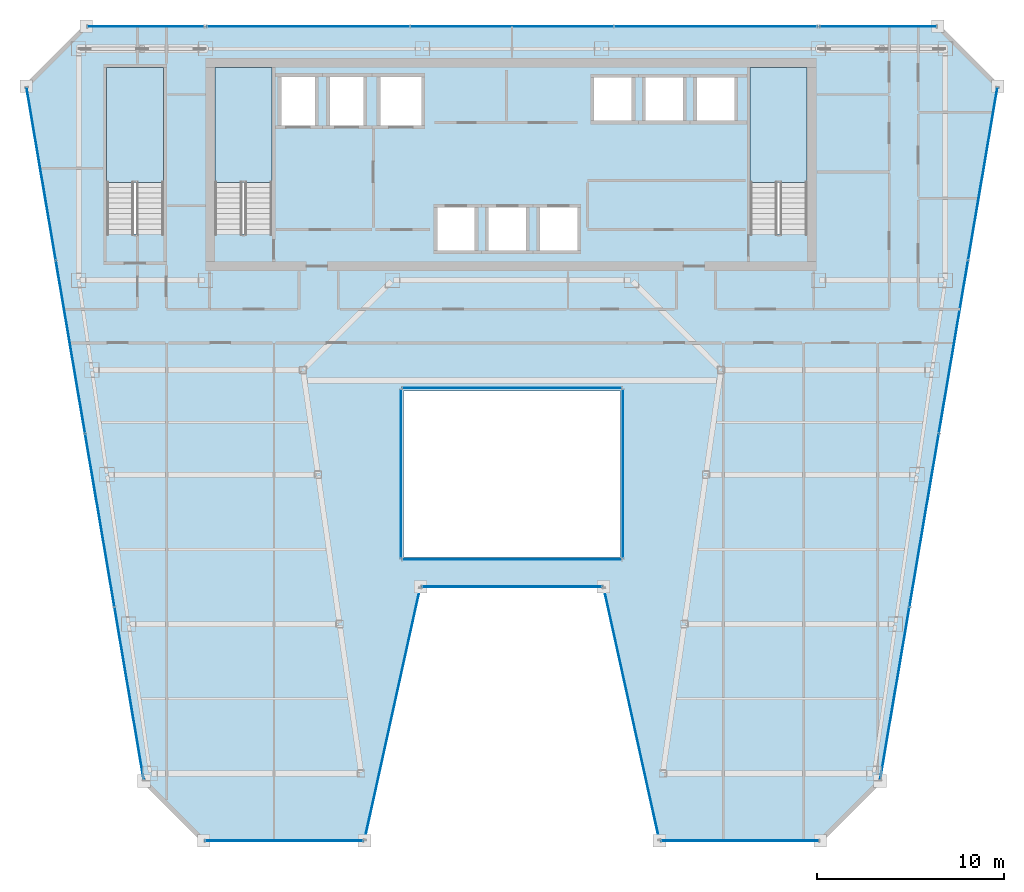
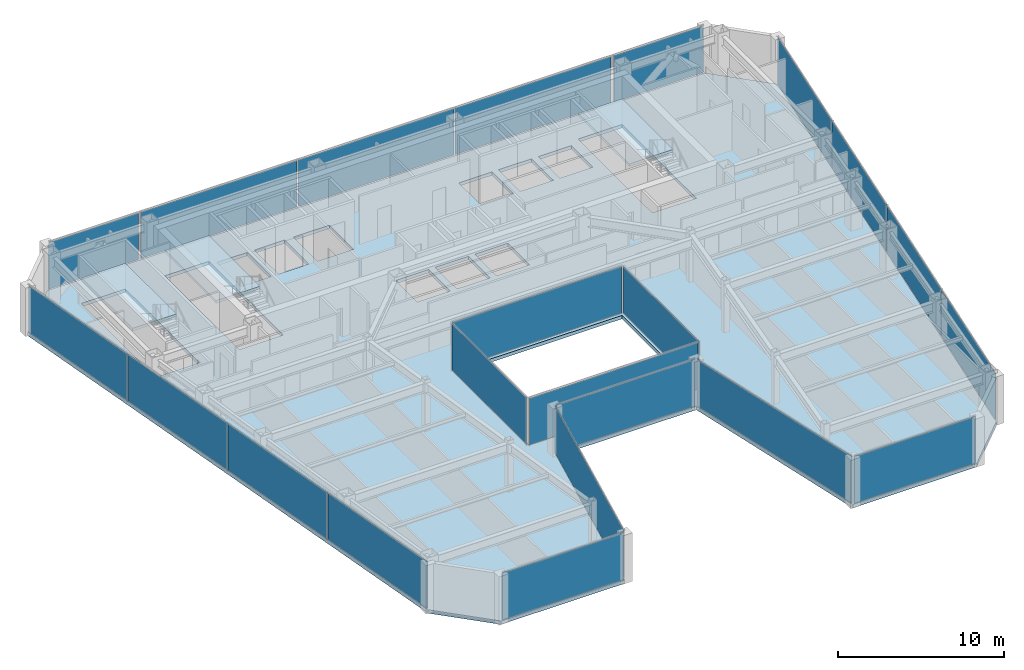
# One storey, part 28 of 36: 22 plates, 4 slabs, 17 elements without a shape of their own.
"""IFC4 building model written with IfcOpenShell, lengths in metres."""

from ifc_helpers import new_model, si_unit, direction, frame, origin, origin_2d, place, context, subcontext, project, spatial, polyline, rectangle, outline, extrude, material, layer, layer_set, type_object, element, aggregate, save


model = new_model("IFC4")

# Units and contexts
model_context = context("Model", 3, precision=1e-05, world=origin(), true_north=direction((0.0, 1.0)))
body_context = subcontext(model_context, "Body", "Model", "MODEL_VIEW")
ifc_project = project(units=[si_unit("LENGTHUNIT", "METRE"), si_unit("AREAUNIT", "SQUARE_METRE"), si_unit("VOLUMEUNIT", "CUBIC_METRE"), si_unit("PLANEANGLEUNIT", "RADIAN"), si_unit("MASSUNIT", "GRAM", prefix="KILO")], contexts=[model_context])

# Site, building, storey
site_placement = place(None, origin())
site = spatial("IfcSite", under=ifc_project, at=site_placement, CompositionType="ELEMENT")
building_placement = place(site_placement, origin())
building = spatial("IfcBuilding", under=site, at=building_placement, Name="Saevonmaru Cultural Tower", CompositionType="ELEMENT")
storey_placement = place(building_placement, frame((0.0, 0.0, 209.39990234375)))
storey = spatial("IfcBuildingStorey", under=building, at=storey_placement, Name="L48", CompositionType="ELEMENT", Elevation=209.39990234375)

# Curtain wall, plate
ifc_material_1 = material(Name="Satin Bronze Anodised Aluminium", Category="aluminium")
curtain_wall_type_1 = type_object("IfcCurtainWallType", Name="CW-ATR-GLZ", PredefinedType="NOTDEFINED", material=ifc_material_1)
curtain_wall_1_placement = place(storey_placement, origin())
curtain_wall_1 = element("IfcCurtainWall", 1, at=curtain_wall_1_placement, inside=storey, type_object=curtain_wall_type_1, Name="L48 Vertical Atrium Glazed Smoke Screen 1", PredefinedType="NOTDEFINED")
ifc_material_2 = material(Name="Fire-Rated Laminated Atrium Glass", Category="glass")
ifc_layer_1 = layer(ifc_material_2, 0.031982421875, Name="Fire-Rated Laminated Atrium Glass")
ifc_layer_set_1 = layer_set([ifc_layer_1], Name="Fire-Rated Laminated Atrium Glass")
plate_type_1 = type_object("IfcPlateType", Name="PN-GLZ-ATR-INT", PredefinedType="CURTAIN_PANEL", material=ifc_layer_set_1)
plate_1_placement = place(storey_placement, frame((30.0, 27.449951171875, 0.067138671875), z_axis=(0.0, 0.0, 1.0), x_axis=(1.0, 0.0, 0.0)))
plate_1 = element("IfcPlate", 2, at=plate_1_placement, type_object=plate_type_1, Name="CW-ATR-L48-1 panel 1.1", PredefinedType="CURTAIN_PANEL", context=body_context, shape_type="SweptSolid", body=[
    extrude(rectangle(XDim=11.7109375, YDim=0.031982421875, at=origin_2d()), origin(), (0.0, 0.0, 1.0), 3.416015625),
])
aggregate(curtain_wall_1, [plate_1])

curtain_wall_2_placement = place(storey_placement, origin())
curtain_wall_2 = element("IfcCurtainWall", 3, at=curtain_wall_2_placement, inside=storey, type_object=curtain_wall_type_1, Name="L48 Vertical Atrium Glazed Smoke Screen 2", PredefinedType="NOTDEFINED")
plate_2_placement = place(storey_placement, frame((35.949951171875, 32.0400390625, 0.067138671875), z_axis=(0.0, 0.0, 1.0), x_axis=(0.0, 1.0, 0.0)))
plate_2 = element("IfcPlate", 4, at=plate_2_placement, type_object=plate_type_1, Name="CW-ATR-L48-2 panel 1.1", PredefinedType="CURTAIN_PANEL", context=body_context, shape_type="SweptSolid", body=[
    extrude(rectangle(XDim=8.990966796875, YDim=0.031982421875, at=origin_2d()), origin(), (0.0, 0.0, 1.0), 3.416015625),
])
aggregate(curtain_wall_2, [plate_2])

curtain_wall_3_placement = place(storey_placement, origin())
curtain_wall_3 = element("IfcCurtainWall", 5, at=curtain_wall_3_placement, inside=storey, type_object=curtain_wall_type_1, Name="L48 Vertical Atrium Glazed Smoke Screen 3", PredefinedType="NOTDEFINED")
plate_3_placement = place(storey_placement, frame((30.0, 36.6298828125, 0.067138671875), z_axis=(0.0, 0.0, 1.0), x_axis=(-1.0, 0.0, 0.0)))
plate_3 = element("IfcPlate", 6, at=plate_3_placement, type_object=plate_type_1, Name="CW-ATR-L48-3 panel 1.1", PredefinedType="CURTAIN_PANEL", context=body_context, shape_type="SweptSolid", body=[
    extrude(rectangle(XDim=11.7109375, YDim=0.031982421875, at=origin_2d()), origin(), (0.0, 0.0, 1.0), 3.416015625),
])
aggregate(curtain_wall_3, [plate_3])

curtain_wall_4_placement = place(storey_placement, origin())
curtain_wall_4 = element("IfcCurtainWall", 7, at=curtain_wall_4_placement, inside=storey, type_object=curtain_wall_type_1, Name="L48 Vertical Atrium Glazed Smoke Screen 4", PredefinedType="NOTDEFINED")
plate_4_placement = place(storey_placement, frame((24.050048828125, 32.0400390625, 0.067138671875), z_axis=(0.0, 0.0, 1.0), x_axis=(0.0, -1.0, 0.0)))
plate_4 = element("IfcPlate", 8, at=plate_4_placement, type_object=plate_type_1, Name="CW-ATR-L48-4 panel 1.1", PredefinedType="CURTAIN_PANEL", context=body_context, shape_type="SweptSolid", body=[
    extrude(rectangle(XDim=8.990966796875, YDim=0.031982421875, at=origin_2d()), origin(), (0.0, 0.0, 1.0), 3.416015625),
])
aggregate(curtain_wall_4, [plate_4])

curtain_wall_type_2 = type_object("IfcCurtainWallType", Name="CW-TYP-B", PredefinedType="NOTDEFINED", material=ifc_material_1)
curtain_wall_5_placement = place(storey_placement, origin())
curtain_wall_5 = element("IfcCurtainWall", 9, at=curtain_wall_5_placement, inside=storey, type_object=curtain_wall_type_2, Name="L48 Unitised Curtain Wall E2", PredefinedType="NOTDEFINED")
ifc_material_3 = material(Name="Triple Silver Low-E Insulating Glass", Category="glass")
ifc_layer_2 = layer(ifc_material_3, 0.035888671875, Name="Triple Silver Low-E Insulating Glass")
ifc_layer_set_2 = layer_set([ifc_layer_2], Name="Triple Silver Low-E Insulating Glass")
plate_type_2 = type_object("IfcPlateType", Name="PN-GLZ-IGU", PredefinedType="CURTAIN_PANEL", material=ifc_layer_set_2)
plate_5_placement = place(storey_placement, frame((17.7978515625, 12.39990234375, 0.067138671875), z_axis=(0.0, 0.0, 1.0), x_axis=(1.0, 0.0, 0.0)))
plate_5 = element("IfcPlate", 10, at=plate_5_placement, type_object=plate_type_2, Name="CW-TW-L48-E2 panel 1.1", PredefinedType="CURTAIN_PANEL", context=body_context, shape_type="SweptSolid", body=[
    extrude(rectangle(XDim=8.410888671875, YDim=0.035888671875, at=origin_2d()), origin(), (0.0, 0.0, 1.0), 3.416015625),
])
aggregate(curtain_wall_5, [plate_5])

curtain_wall_6_placement = place(storey_placement, origin())
curtain_wall_6 = element("IfcCurtainWall", 11, at=curtain_wall_6_placement, inside=storey, type_object=curtain_wall_type_2, Name="L48 Unitised Curtain Wall E3", PredefinedType="NOTDEFINED")
plate_6_placement = place(storey_placement, frame((23.597900390625, 19.199951171875, 0.067138671875), z_axis=(0.0, 0.0, 1.0), x_axis=(0.215413319953, 0.976522965212, 0.0)))
plate_6 = element("IfcPlate", 12, at=plate_6_placement, type_object=plate_type_2, Name="CW-TW-L48-E3 panel 1.1", PredefinedType="CURTAIN_PANEL", context=body_context, shape_type="SweptSolid", body=[
    extrude(rectangle(XDim=13.738037109375, YDim=0.035888671875, at=origin_2d()), origin(), (0.0, 0.0, 1.0), 3.416015625),
])
aggregate(curtain_wall_6, [plate_6])

curtain_wall_7_placement = place(storey_placement, origin())
curtain_wall_7 = element("IfcCurtainWall", 13, at=curtain_wall_7_placement, inside=storey, type_object=curtain_wall_type_2, Name="L48 Unitised Curtain Wall E4", PredefinedType="NOTDEFINED")
plate_7_placement = place(storey_placement, frame((30.0, 26.0, 0.067138671875), z_axis=(0.0, 0.0, 1.0), x_axis=(1.0, 0.0, 0.0)))
plate_7 = element("IfcPlate", 14, at=plate_7_placement, type_object=plate_type_2, Name="CW-TW-L48-E4 panel 1.1", PredefinedType="CURTAIN_PANEL", context=body_context, shape_type="SweptSolid", body=[
    extrude(rectangle(XDim=9.615478515625, YDim=0.035888671875, at=origin_2d()), origin(), (0.0, 0.0, 1.0), 3.416015625),
])
aggregate(curtain_wall_7, [plate_7])

curtain_wall_8_placement = place(storey_placement, origin())
curtain_wall_8 = element("IfcCurtainWall", 15, at=curtain_wall_8_placement, inside=storey, type_object=curtain_wall_type_2, Name="L48 Unitised Curtain Wall E5", PredefinedType="NOTDEFINED")
plate_8_placement = place(storey_placement, frame((36.402099609375, 19.199951171875, 0.067138671875), z_axis=(0.0, 0.0, 1.0), x_axis=(0.215413319953, -0.976522965212, 0.0)))
plate_8 = element("IfcPlate", 16, at=plate_8_placement, type_object=plate_type_2, Name="CW-TW-L48-E5 panel 1.1", PredefinedType="CURTAIN_PANEL", context=body_context, shape_type="SweptSolid", body=[
    extrude(rectangle(XDim=13.738037109375, YDim=0.035888671875, at=origin_2d()), origin(), (0.0, 0.0, 1.0), 3.416015625),
])
aggregate(curtain_wall_8, [plate_8])

curtain_wall_9_placement = place(storey_placement, origin())
curtain_wall_9 = element("IfcCurtainWall", 17, at=curtain_wall_9_placement, inside=storey, type_object=curtain_wall_type_2, Name="L48 Unitised Curtain Wall E6", PredefinedType="NOTDEFINED")
plate_9_placement = place(storey_placement, frame((42.2021484375, 12.39990234375, 0.067138671875), z_axis=(0.0, 0.0, 1.0), x_axis=(1.0, 0.0, 0.0)))
plate_9 = element("IfcPlate", 18, at=plate_9_placement, type_object=plate_type_2, Name="CW-TW-L48-E6 panel 1.1", PredefinedType="CURTAIN_PANEL", context=body_context, shape_type="SweptSolid", body=[
    extrude(rectangle(XDim=8.410888671875, YDim=0.035888671875, at=origin_2d()), origin(), (0.0, 0.0, 1.0), 3.416015625),
])
aggregate(curtain_wall_9, [plate_9])

# Curtain wall, plates
curtain_wall_10_placement = place(storey_placement, origin())
curtain_wall_10 = element("IfcCurtainWall", 19, at=curtain_wall_10_placement, inside=storey, type_object=curtain_wall_type_2, Name="L48 Unitised Curtain Wall E8", PredefinedType="NOTDEFINED")
plate_10_placement = place(storey_placement, frame((50.496826171875, 20.29443359375, 0.067138671875), z_axis=(0.0, 0.0, 1.0), x_axis=(0.16692169721, 0.985970155228, 0.0)))
plate_10 = element("IfcPlate", 20, at=plate_10_placement, type_object=plate_type_2, Name="CW-TW-L48-E8 panel 1.1", PredefinedType="CURTAIN_PANEL", context=body_context, shape_type="SweptSolid", body=[
    extrude(rectangle(XDim=9.333251953125, YDim=0.035888671875, at=origin_2d()), origin(), (0.0, 0.0, 1.0), 3.416015625),
])
plate_11_placement = place(storey_placement, frame((52.06640625, 29.564697265625, 0.067138671875), z_axis=(0.0, 0.0, 1.0), x_axis=(0.16692169721, 0.985970155228, 0.0)))
plate_11 = element("IfcPlate", 21, at=plate_11_placement, type_object=plate_type_2, Name="CW-TW-L48-E8 panel 2.1", PredefinedType="CURTAIN_PANEL", context=body_context, shape_type="SweptSolid", body=[
    extrude(rectangle(XDim=9.333251953125, YDim=0.035888671875, at=origin_2d()), origin(), (0.0, 0.0, 1.0), 3.416015625),
])
plate_12_placement = place(storey_placement, frame((53.6357421875, 38.835205078125, 0.067138671875), z_axis=(0.0, 0.0, 1.0), x_axis=(0.16692169721, 0.985970155228, 0.0)))
plate_12 = element("IfcPlate", 22, at=plate_12_placement, type_object=plate_type_2, Name="CW-TW-L48-E8 panel 3.1", PredefinedType="CURTAIN_PANEL", context=body_context, shape_type="SweptSolid", body=[
    extrude(rectangle(XDim=9.333251953125, YDim=0.035888671875, at=origin_2d()), origin(), (0.0, 0.0, 1.0), 3.416015625),
])
plate_13_placement = place(storey_placement, frame((55.205322265625, 48.105712890625, 0.067138671875), z_axis=(0.0, 0.0, 1.0), x_axis=(0.16692169721, 0.985970155228, 0.0)))
plate_13 = element("IfcPlate", 23, at=plate_13_placement, type_object=plate_type_2, Name="CW-TW-L48-E8 panel 4.1", PredefinedType="CURTAIN_PANEL", context=body_context, shape_type="SweptSolid", body=[
    extrude(rectangle(XDim=9.333251953125, YDim=0.035888671875, at=origin_2d()), origin(), (0.0, 0.0, 1.0), 3.416015625),
])
aggregate(curtain_wall_10, [plate_10, plate_11, plate_12, plate_13])

curtain_wall_11_placement = place(storey_placement, origin())
curtain_wall_11 = element("IfcCurtainWall", 24, at=curtain_wall_11_placement, inside=storey, type_object=curtain_wall_type_2, Name="L48 North Spine Unitised Curtain Wall E10B", PredefinedType="NOTDEFINED")
plate_14_placement = place(storey_placement, frame((40.893310546875, 56.0, 0.067138671875), z_axis=(0.0, 0.0, 1.0), x_axis=(-1.0, 0.0, 0.0)))
plate_14 = element("IfcPlate", 25, at=plate_14_placement, type_object=plate_type_2, Name="CW-TW-L48-E10B panel 1.1", PredefinedType="CURTAIN_PANEL", context=body_context, shape_type="SweptSolid", body=[
    extrude(rectangle(XDim=10.82421875, YDim=0.035888671875, at=origin_2d()), origin(), (0.0, 0.0, 1.0), 3.416015625),
])
plate_15_placement = place(storey_placement, frame((30.0, 56.0, 0.067138671875), z_axis=(0.0, 0.0, 1.0), x_axis=(-1.0, 0.0, 0.0)))
plate_15 = element("IfcPlate", 26, at=plate_15_placement, type_object=plate_type_2, Name="CW-TW-L48-E10B panel 2.1", PredefinedType="CURTAIN_PANEL", context=body_context, shape_type="SweptSolid", body=[
    extrude(rectangle(XDim=10.82421875, YDim=0.035888671875, at=origin_2d()), origin(), (0.0, 0.0, 1.0), 3.416015625),
])
plate_16_placement = place(storey_placement, frame((19.106689453125, 56.0, 0.067138671875), z_axis=(0.0, 0.0, 1.0), x_axis=(-1.0, 0.0, 0.0)))
plate_16 = element("IfcPlate", 27, at=plate_16_placement, type_object=plate_type_2, Name="CW-TW-L48-E10B panel 3.1", PredefinedType="CURTAIN_PANEL", context=body_context, shape_type="SweptSolid", body=[
    extrude(rectangle(XDim=10.82421875, YDim=0.035888671875, at=origin_2d()), origin(), (0.0, 0.0, 1.0), 3.416015625),
])
aggregate(curtain_wall_11, [plate_14, plate_15, plate_16])

curtain_wall_12_placement = place(storey_placement, origin())
curtain_wall_12 = element("IfcCurtainWall", 28, at=curtain_wall_12_placement, inside=storey, type_object=curtain_wall_type_2, Name="L48 Unitised Curtain Wall E12", PredefinedType="NOTDEFINED")
plate_17_placement = place(storey_placement, frame((4.794677734375, 48.105712890625, 0.067138671875), z_axis=(0.0, 0.0, 1.0), x_axis=(0.16692169721, -0.985970155228, 0.0)))
plate_17 = element("IfcPlate", 29, at=plate_17_placement, type_object=plate_type_2, Name="CW-TW-L48-E12 panel 1.1", PredefinedType="CURTAIN_PANEL", context=body_context, shape_type="SweptSolid", body=[
    extrude(rectangle(XDim=9.333251953125, YDim=0.035888671875, at=origin_2d()), origin(), (0.0, 0.0, 1.0), 3.416015625),
])
plate_18_placement = place(storey_placement, frame((6.3642578125, 38.835205078125, 0.067138671875), z_axis=(0.0, 0.0, 1.0), x_axis=(0.16692169721, -0.985970155228, 0.0)))
plate_18 = element("IfcPlate", 30, at=plate_18_placement, type_object=plate_type_2, Name="CW-TW-L48-E12 panel 2.1", PredefinedType="CURTAIN_PANEL", context=body_context, shape_type="SweptSolid", body=[
    extrude(rectangle(XDim=9.333251953125, YDim=0.035888671875, at=origin_2d()), origin(), (0.0, 0.0, 1.0), 3.416015625),
])
plate_19_placement = place(storey_placement, frame((7.93359375, 29.564697265625, 0.067138671875), z_axis=(0.0, 0.0, 1.0), x_axis=(0.16692169721, -0.985970155228, 0.0)))
plate_19 = element("IfcPlate", 31, at=plate_19_placement, type_object=plate_type_2, Name="CW-TW-L48-E12 panel 3.1", PredefinedType="CURTAIN_PANEL", context=body_context, shape_type="SweptSolid", body=[
    extrude(rectangle(XDim=9.333251953125, YDim=0.035888671875, at=origin_2d()), origin(), (0.0, 0.0, 1.0), 3.416015625),
])
plate_20_placement = place(storey_placement, frame((9.503173828125, 20.29443359375, 0.067138671875), z_axis=(0.0, 0.0, 1.0), x_axis=(0.16692169721, -0.985970155228, 0.0)))
plate_20 = element("IfcPlate", 32, at=plate_20_placement, type_object=plate_type_2, Name="CW-TW-L48-E12 panel 4.1", PredefinedType="CURTAIN_PANEL", context=body_context, shape_type="SweptSolid", body=[
    extrude(rectangle(XDim=9.333251953125, YDim=0.035888671875, at=origin_2d()), origin(), (0.0, 0.0, 1.0), 3.416015625),
])
aggregate(curtain_wall_12, [plate_17, plate_18, plate_19, plate_20])

# Curtain wall, plate
curtain_wall_13_placement = place(storey_placement, origin())
curtain_wall_13 = element("IfcCurtainWall", 33, at=curtain_wall_13_placement, inside=storey, type_object=curtain_wall_type_2, Name="L48 East Braced Bay Spandrel Curtain Wall E10A", PredefinedType="NOTDEFINED")
ifc_material_4 = material(Name="Insulated Satin Bronze Aluminium Spandrel Panel", Category="aluminium")
ifc_layer_3 = layer(ifc_material_4, 0.0400390625, Name="Insulated Satin Bronze Aluminium Spandrel Panel")
ifc_layer_set_3 = layer_set([ifc_layer_3], Name="Insulated Satin Bronze Aluminium Spandrel Panel")
plate_type_3 = type_object("IfcPlateType", Name="PN-SPANDREL-BRONZE", PredefinedType="CURTAIN_PANEL", material=ifc_layer_set_3)
plate_21_placement = place(storey_placement, frame((49.60009765625, 56.0, 0.067138671875), z_axis=(0.0, 0.0, 1.0), x_axis=(-1.0, 0.0, 0.0)))
plate_21 = element("IfcPlate", 34, at=plate_21_placement, type_object=plate_type_3, Name="CW-TW-L48-E10A panel 1.1", PredefinedType="CURTAIN_PANEL", context=body_context, shape_type="SweptSolid", body=[
    extrude(rectangle(XDim=6.2109375, YDim=0.035888671875, at=origin_2d()), origin(), (0.0, 0.0, 1.0), 3.416015625),
])
aggregate(curtain_wall_13, [plate_21])

curtain_wall_14_placement = place(storey_placement, origin())
curtain_wall_14 = element("IfcCurtainWall", 35, at=curtain_wall_14_placement, inside=storey, type_object=curtain_wall_type_2, Name="L48 West Braced Bay Spandrel Curtain Wall E10C", PredefinedType="NOTDEFINED")
plate_22_placement = place(storey_placement, frame((10.39990234375, 56.0, 0.067138671875), z_axis=(0.0, 0.0, 1.0), x_axis=(-1.0, 0.0, 0.0)))
plate_22 = element("IfcPlate", 36, at=plate_22_placement, type_object=plate_type_3, Name="CW-TW-L48-E10C panel 1.1", PredefinedType="CURTAIN_PANEL", context=body_context, shape_type="SweptSolid", body=[
    extrude(rectangle(XDim=6.2109375, YDim=0.035888671875, at=origin_2d()), origin(), (0.0, 0.0, 1.0), 3.416015625),
])
aggregate(curtain_wall_14, [plate_22])

# Slab
ifc_material_5 = material(Name="Concrete C40/50", Category="concrete")
ifc_layer_4 = layer(ifc_material_5, 0.25, Name="Concrete C40/50")
ifc_layer_set_4 = layer_set([ifc_layer_4], Name="Concrete C40/50")
slab_type_1 = type_object("IfcSlabType", Name="SL-FLR-250", PredefinedType="FLOOR", material=ifc_layer_set_4)
slab_1_placement = place(storey_placement, frame((0.0, 0.0, -0.25)))
element("IfcSlab", 37, at=slab_1_placement, inside=storey, type_object=slab_type_1, Name="L48 Tower Structural Floor Slab", PredefinedType="FLOOR", context=body_context, shape_type="SweptSolid", body=[
    extrude(outline(polyline([(10.2978515625, 15.60009765625), (13.497802734375, 12.39990234375), (22.097900390625, 12.39990234375), (25.097900390625, 26.0), (34.902099609375, 26.0), (37.902099609375, 12.39990234375), (46.502197265625, 12.39990234375), (49.7021484375, 15.60009765625), (56.0, 52.800048828125), (52.800048828125, 56.0), (7.199951171875, 56.0), (4.0, 52.800048828125), (10.2978515625, 15.60009765625)]), holes=[polyline([(45.800048828125, 44.875), (42.75, 44.875), (42.75, 53.800048828125), (45.800048828125, 53.800048828125), (45.800048828125, 44.875)]), polyline([(39.75, 50.800048828125), (39.75, 53.39990234375), (42.050048828125, 53.39990234375), (42.050048828125, 50.800048828125), (39.75, 50.800048828125)]), polyline([(37.0, 50.800048828125), (37.0, 53.39990234375), (39.300048828125, 53.39990234375), (39.300048828125, 50.800048828125), (37.0, 50.800048828125)]), polyline([(34.25, 50.800048828125), (34.25, 53.39990234375), (36.550048828125, 53.39990234375), (36.550048828125, 50.800048828125), (34.25, 50.800048828125)]), polyline([(24.199951171875, 27.60009765625), (24.199951171875, 36.47998046875), (35.800048828125, 36.47998046875), (35.800048828125, 27.60009765625), (24.199951171875, 27.60009765625)]), polyline([(31.35009765625, 43.85009765625), (31.35009765625, 46.449951171875), (33.64990234375, 46.449951171875), (33.64990234375, 43.85009765625), (31.35009765625, 43.85009765625)]), polyline([(28.60009765625, 43.85009765625), (28.60009765625, 46.449951171875), (30.89990234375, 46.449951171875), (30.89990234375, 43.85009765625), (28.60009765625, 43.85009765625)]), polyline([(28.14990234375, 43.85009765625), (25.85009765625, 43.85009765625), (25.85009765625, 46.449951171875), (28.14990234375, 46.449951171875), (28.14990234375, 43.85009765625)]), polyline([(25.300048828125, 50.550048828125), (22.800048828125, 50.550048828125), (22.800048828125, 53.449951171875), (25.300048828125, 53.449951171875), (25.300048828125, 50.550048828125)]), polyline([(20.10009765625, 50.550048828125), (20.10009765625, 53.449951171875), (22.199951171875, 53.449951171875), (22.199951171875, 50.550048828125), (20.10009765625, 50.550048828125)]), polyline([(17.5, 50.550048828125), (17.5, 53.449951171875), (19.60009765625, 53.449951171875), (19.60009765625, 50.550048828125), (17.5, 50.550048828125)]), polyline([(17.14990234375, 53.800048828125), (17.14990234375, 44.875), (14.10009765625, 44.875), (14.10009765625, 53.800048828125), (17.14990234375, 53.800048828125)]), polyline([(11.35009765625, 44.875), (8.300048828125, 44.875), (8.300048828125, 53.800048828125), (11.35009765625, 53.800048828125), (11.35009765625, 44.875)])]), origin(), (0.0, 0.0, 1.0), 0.25),
])

# Stair, slab
stair_type = type_object("IfcStairType", Name="STR-DOGLEG-RC", PredefinedType="HALF_TURN_STAIR", material=ifc_material_5)
stair_1_placement = place(storey_placement, origin())
stair_1 = element("IfcStair", 38, at=stair_1_placement, inside=storey, type_object=stair_type, Name="L48 Protected exit stair ST-1", PredefinedType="HALF_TURN_STAIR")
ifc_layer_5 = layer(ifc_material_5, 0.199951171875, Name="Concrete C40/50")
ifc_layer_set_5 = layer_set([ifc_layer_5], Name="Concrete C40/50")
slab_type_2 = type_object("IfcSlabType", Name="SL-STAIR-LANDING", PredefinedType="LANDING", material=ifc_layer_set_5)
slab_2_placement = place(storey_placement, frame((0.0, 0.0, 1.7001953125)))
slab_2 = element("IfcSlab", 39, at=slab_2_placement, type_object=slab_type_2, Name="ST-1-L48 landing 1", PredefinedType="LANDING", context=body_context, shape_type="SweptSolid", body=[
    extrude(outline(polyline([(17.14990234375, 47.64990234375), (17.14990234375, 53.800048828125), (14.10009765625, 53.800048828125), (14.10009765625, 47.64990234375), (17.14990234375, 47.64990234375)])), origin(), (0.0, 0.0, 1.0), 0.199951171875),
])
aggregate(stair_1, [slab_2])

stair_2_placement = place(storey_placement, origin())
stair_2 = element("IfcStair", 40, at=stair_2_placement, inside=storey, type_object=stair_type, Name="L48 Protected exit stair ST-2", PredefinedType="HALF_TURN_STAIR")
slab_3_placement = place(storey_placement, frame((0.0, 0.0, 1.7001953125)))
slab_3 = element("IfcSlab", 41, at=slab_3_placement, type_object=slab_type_2, Name="ST-2-L48 landing 1", PredefinedType="LANDING", context=body_context, shape_type="SweptSolid", body=[
    extrude(outline(polyline([(45.800048828125, 47.64990234375), (45.800048828125, 53.800048828125), (42.75, 53.800048828125), (42.75, 47.64990234375), (45.800048828125, 47.64990234375)])), origin(), (0.0, 0.0, 1.0), 0.199951171875),
])
aggregate(stair_2, [slab_3])

stair_3_placement = place(storey_placement, origin())
stair_3 = element("IfcStair", 42, at=stair_3_placement, inside=storey, type_object=stair_type, Name="L48 Protected exit stair ST-3", PredefinedType="HALF_TURN_STAIR")
slab_4_placement = place(storey_placement, frame((0.0, 0.0, 1.7001953125)))
slab_4 = element("IfcSlab", 43, at=slab_4_placement, type_object=slab_type_2, Name="ST-3-L48 landing 1", PredefinedType="LANDING", context=body_context, shape_type="SweptSolid", body=[
    extrude(outline(polyline([(11.35009765625, 47.64990234375), (11.35009765625, 53.800048828125), (8.300048828125, 53.800048828125), (8.300048828125, 47.64990234375), (11.35009765625, 47.64990234375)])), origin(), (0.0, 0.0, 1.0), 0.199951171875),
])
aggregate(stair_3, [slab_4])

save(model, "model.ifc")
